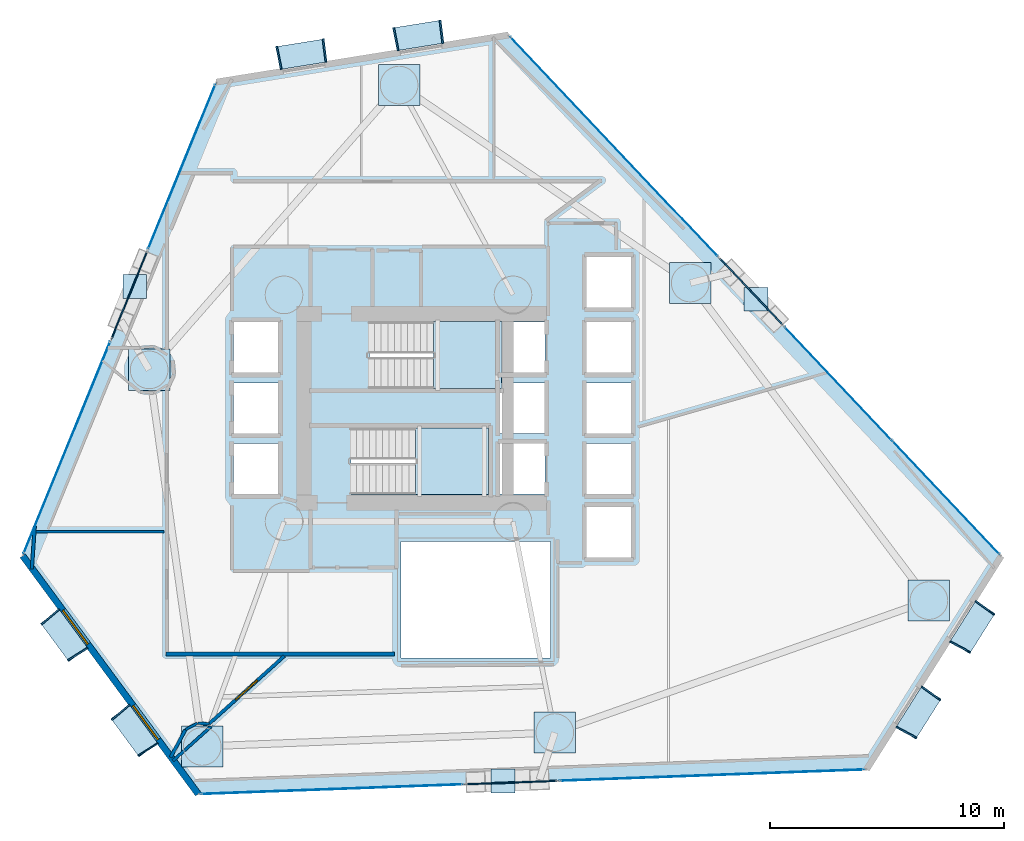
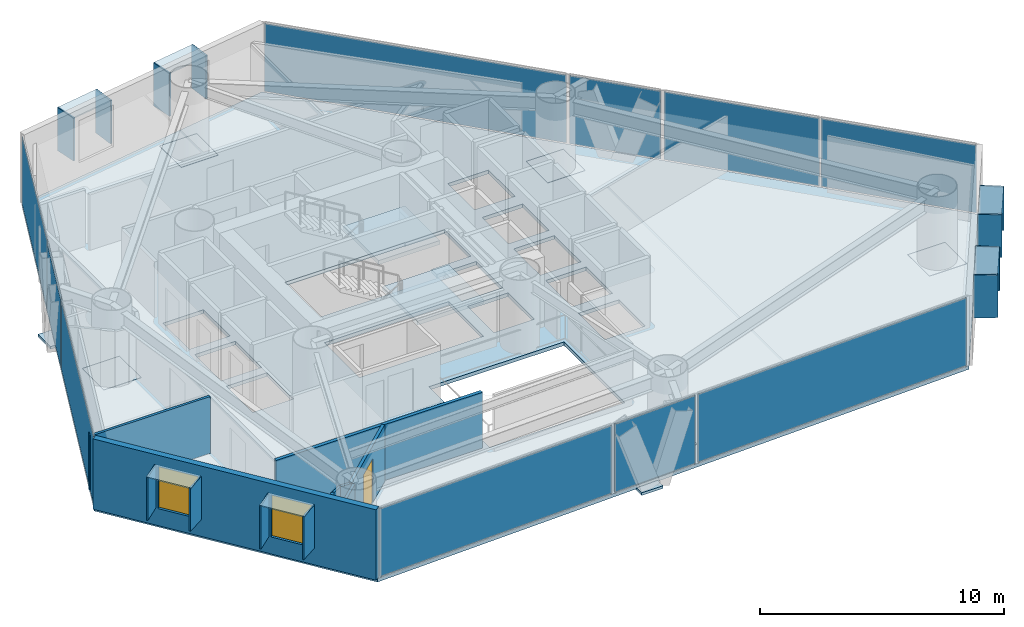
# One storey, part 16 of 23: 37 plates, 9 walls, 3 slabs, 2 windows, 1 door, 3 openings, 11 elements without a shape of their own.
"""IFC4 building model written with IfcOpenShell, lengths in metres."""

from ifc_helpers import new_model, si_unit, direction, frame, frame_2d, origin, origin_2d, place, context, subcontext, project, spatial, polyline, rectangle, outline, extrude, material, layer, layer_set, type_object, element, fill, aggregate, save


model = new_model("IFC4")

# Units and contexts
model_context = context("Model", 3, precision=1e-05, world=origin(), true_north=direction((0.0, 1.0)))
body_context = subcontext(model_context, "Body", "Model", "MODEL_VIEW")
ifc_project = project(units=[si_unit("LENGTHUNIT", "METRE"), si_unit("AREAUNIT", "SQUARE_METRE"), si_unit("VOLUMEUNIT", "CUBIC_METRE"), si_unit("PLANEANGLEUNIT", "RADIAN"), si_unit("MASSUNIT", "GRAM", prefix="KILO")], contexts=[model_context])

# Site, building, storey
site_placement = place(None, origin())
site = spatial("IfcSite", under=ifc_project, at=site_placement, CompositionType="ELEMENT")
building_placement = place(site_placement, origin())
building = spatial("IfcBuilding", under=site, at=building_placement, Name="Qianvela Tower", CompositionType="ELEMENT")
storey_placement = place(building_placement, frame((0.0, 0.0, 52.5)))
storey = spatial("IfcBuildingStorey", under=building, at=storey_placement, Name="L12", CompositionType="ELEMENT", Elevation=52.5)

# Curtain wall, plate
ifc_material_1 = material(Name="Anodised Architectural Aluminium and Insulated Spandrel Panel", Category="aluminium")
ifc_layer_1 = layer(ifc_material_1, 0.179931640625)
ifc_layer_set_1 = layer_set([ifc_layer_1], Name="Anodised Architectural Aluminium and Insulated Spandrel Panel")
curtain_wall_type_1 = type_object("IfcCurtainWallType", Name="CW-BRACEBAY", PredefinedType="USERDEFINED", material=ifc_layer_set_1)
curtain_wall_1_placement = place(storey_placement, origin())
curtain_wall_1 = element("IfcCurtainWall", 1, at=curtain_wall_1_placement, inside=storey, type_object=curtain_wall_type_1, Name="L12 CW-BRACEBAY Curtain Wall 02B", ObjectType="CURTAIN_WALL_SYSTEM", PredefinedType="USERDEFINED")
ifc_material_2 = material(Name="Insulated Aluminium Spandrel Panel with Mineral-Wool Backpan", Category="aluminium")
ifc_layer_2 = layer(ifc_material_2, 0.06005859375)
ifc_layer_set_2 = layer_set([ifc_layer_2], Name="Insulated Aluminium Spandrel Panel with Mineral-Wool Backpan")
plate_type_1 = type_object("IfcPlateType", Name="CW-BRACEBAY-PNL", PredefinedType="CURTAIN_PANEL", material=ifc_layer_set_2)
plate_1_placement = place(storey_placement, frame((48.593994140625, 33.6884765625, 0.06494140625), z_axis=(0.0, 0.0, 1.0), x_axis=(-0.687180082122, 0.726487119455, 0.0)))
plate_1 = element("IfcPlate", 2, at=plate_1_placement, type_object=plate_type_1, Name="CW-9 panel 1.1", PredefinedType="CURTAIN_PANEL", context=body_context, shape_type="SweptSolid", body=[
    extrude(rectangle(XDim=3.909912109375, YDim=0.06005859375, at=origin_2d()), origin(), (0.0, 0.0, 1.0), 3.389892578125),
])
aggregate(curtain_wall_1, [plate_1])

curtain_wall_2_placement = place(storey_placement, origin())
curtain_wall_2 = element("IfcCurtainWall", 3, at=curtain_wall_2_placement, inside=storey, type_object=curtain_wall_type_1, Name="L12 CW-BRACEBAY Curtain Wall 04B", ObjectType="CURTAIN_WALL_SYSTEM", PredefinedType="USERDEFINED")
plate_2_placement = place(storey_placement, frame((21.9765625, 33.540283203125, 0.06494140625), z_axis=(0.0, 0.0, 1.0), x_axis=(-0.378488345635, -0.92560605671, 0.0)))
plate_2 = element("IfcPlate", 4, at=plate_2_placement, type_object=plate_type_1, Name="CW-9 panel 1.1", PredefinedType="CURTAIN_PANEL", context=body_context, shape_type="SweptSolid", body=[
    extrude(rectangle(XDim=4.02001953125, YDim=0.06005859375, at=origin_2d()), origin(), (0.0, 0.0, 1.0), 3.389892578125),
])
aggregate(curtain_wall_2, [plate_2])

curtain_wall_3_placement = place(storey_placement, origin())
curtain_wall_3 = element("IfcCurtainWall", 5, at=curtain_wall_3_placement, inside=storey, type_object=curtain_wall_type_1, Name="L12 CW-BRACEBAY Curtain Wall 06B", ObjectType="CURTAIN_WALL_SYSTEM", PredefinedType="USERDEFINED")
plate_3_placement = place(storey_placement, frame((38.328369140625, 12.678466796875, 0.06494140625), z_axis=(0.0, 0.0, 1.0), x_axis=(0.99932024113, 0.036865372203, 0.0)))
plate_3 = element("IfcPlate", 6, at=plate_3_placement, type_object=plate_type_1, Name="CW-9 panel 1.1", PredefinedType="CURTAIN_PANEL", context=body_context, shape_type="SweptSolid", body=[
    extrude(rectangle(XDim=3.89013671875, YDim=0.06005859375, at=origin_2d()), origin(), (0.0, 0.0, 1.0), 3.389892578125),
])
aggregate(curtain_wall_3, [plate_3])

# Curtain wall, plates
ifc_material_3 = material(Name="Anodised Architectural Aluminium and Low-E Glass", Category="aluminium")
ifc_layer_3 = layer(ifc_material_3, 0.179931640625)
ifc_layer_set_3 = layer_set([ifc_layer_3], Name="Anodised Architectural Aluminium and Low-E Glass")
curtain_wall_type_2 = type_object("IfcCurtainWallType", Name="CW-COLIV-Z12", PredefinedType="USERDEFINED", material=ifc_layer_set_3)
curtain_wall_4_placement = place(storey_placement, origin())
curtain_wall_4 = element("IfcCurtainWall", 7, at=curtain_wall_4_placement, inside=storey, type_object=curtain_wall_type_2, Name="L12 CW-COLIV-Z12 Curtain Wall 02A", ObjectType="CURTAIN_WALL_SYSTEM", PredefinedType="USERDEFINED")
ifc_material_4 = material(Name="Double-Silver Low-E Insulated Glass", Category="glass")
ifc_layer_4 = layer(ifc_material_4, 0.030029296875)
ifc_layer_set_4 = layer_set([ifc_layer_4], Name="Double-Silver Low-E Insulated Glass")
plate_type_2 = type_object("IfcPlateType", Name="CW-COLIV-Z12-PNL", PredefinedType="CURTAIN_PANEL", material=ifc_layer_set_4)
plate_4_placement = place(storey_placement, frame((56.927490234375, 24.8779296875, 0.06494140625), z_axis=(0.0, 0.0, 1.0), x_axis=(-0.687170375022, 0.726496301224, 0.0)))
plate_4 = element("IfcPlate", 8, at=plate_4_placement, type_object=plate_type_2, Name="CW-3 panel 1.1", PredefinedType="CURTAIN_PANEL", context=body_context, shape_type="SweptSolid", body=[
    extrude(rectangle(XDim=6.64501953125, YDim=0.030029296875, at=origin_2d()), origin(), (0.0, 0.0, 1.0), 3.389892578125),
])
plate_5_placement = place(storey_placement, frame((52.313232421875, 29.75634765625, 0.06494140625), z_axis=(0.0, 0.0, 1.0), x_axis=(-0.687170375022, 0.726496301224, 0.0)))
plate_5 = element("IfcPlate", 9, at=plate_5_placement, type_object=plate_type_2, Name="CW-3 panel 2.1", PredefinedType="CURTAIN_PANEL", context=body_context, shape_type="SweptSolid", body=[
    extrude(rectangle(XDim=6.64501953125, YDim=0.030029296875, at=origin_2d()), origin(), (0.0, 0.0, 1.0), 3.389892578125),
])
aggregate(curtain_wall_4, [plate_4, plate_5])

# Curtain wall, plate
curtain_wall_5_placement = place(storey_placement, origin())
curtain_wall_5 = element("IfcCurtainWall", 10, at=curtain_wall_5_placement, inside=storey, type_object=curtain_wall_type_2, Name="L12 CW-COLIV-Z12 Curtain Wall 02C", ObjectType="CURTAIN_WALL_SYSTEM", PredefinedType="USERDEFINED")
plate_6_placement = place(storey_placement, frame((42.72509765625, 39.893310546875, 0.06494140625), z_axis=(0.0, 0.0, 1.0), x_axis=(-0.687172728773, 0.726494074876, 0.0)))
plate_6 = element("IfcPlate", 11, at=plate_6_placement, type_object=plate_type_2, Name="CW-3 panel 1.1", PredefinedType="CURTAIN_PANEL", context=body_context, shape_type="SweptSolid", body=[
    extrude(rectangle(XDim=12.9013671875, YDim=0.030029296875, at=origin_2d()), origin(), (0.0, 0.0, 1.0), 3.389892578125),
])
aggregate(curtain_wall_5, [plate_6])

curtain_wall_6_placement = place(storey_placement, origin())
curtain_wall_6 = element("IfcCurtainWall", 12, at=curtain_wall_6_placement, inside=storey, type_object=curtain_wall_type_2, Name="L12 CW-COLIV-Z12 Curtain Wall 04A", ObjectType="CURTAIN_WALL_SYSTEM", PredefinedType="USERDEFINED")
plate_7_placement = place(storey_placement, frame((24.222900390625, 39.033935546875, 0.06494140625), z_axis=(0.0, 0.0, 1.0), x_axis=(-0.378495146907, -0.925603275582, 0.0)))
plate_7 = element("IfcPlate", 13, at=plate_7_placement, type_object=plate_type_2, Name="CW-3 panel 1.1", PredefinedType="CURTAIN_PANEL", context=body_context, shape_type="SweptSolid", body=[
    extrude(rectangle(XDim=7.580078125, YDim=0.030029296875, at=origin_2d()), origin(), (0.0, 0.0, 1.0), 3.389892578125),
])
aggregate(curtain_wall_6, [plate_7])

curtain_wall_7_placement = place(storey_placement, origin())
curtain_wall_7 = element("IfcCurtainWall", 14, at=curtain_wall_7_placement, inside=storey, type_object=curtain_wall_type_2, Name="L12 CW-COLIV-Z12 Curtain Wall 04C", ObjectType="CURTAIN_WALL_SYSTEM", PredefinedType="USERDEFINED")
plate_8_placement = place(storey_placement, frame((19.312255859375, 27.025146484375, 0.06494140625), z_axis=(0.0, 0.0, 1.0), x_axis=(-0.378494785701, -0.925603423285, 0.0)))
plate_8 = element("IfcPlate", 15, at=plate_8_placement, type_object=plate_type_2, Name="CW-3 panel 1.1", PredefinedType="CURTAIN_PANEL", context=body_context, shape_type="SweptSolid", body=[
    extrude(rectangle(XDim=9.7880859375, YDim=0.030029296875, at=origin_2d()), origin(), (0.0, 0.0, 1.0), 3.389892578125),
])
aggregate(curtain_wall_7, [plate_8])

curtain_wall_8_placement = place(storey_placement, origin())
curtain_wall_8 = element("IfcCurtainWall", 16, at=curtain_wall_8_placement, inside=storey, type_object=curtain_wall_type_2, Name="L12 CW-COLIV-Z12 Curtain Wall 06A", ObjectType="CURTAIN_WALL_SYSTEM", PredefinedType="USERDEFINED")
plate_9_placement = place(storey_placement, frame((30.6484375, 12.395263671875, 0.06494140625), z_axis=(0.0, 0.0, 1.0), x_axis=(0.999319977698, 0.036872512444, 0.0)))
plate_9 = element("IfcPlate", 17, at=plate_9_placement, type_object=plate_type_2, Name="CW-3 panel 1.1", PredefinedType="CURTAIN_PANEL", context=body_context, shape_type="SweptSolid", body=[
    extrude(rectangle(XDim=11.2099609375, YDim=0.030029296875, at=origin_2d()), origin(), (0.0, 0.0, 1.0), 3.389892578125),
])
aggregate(curtain_wall_8, [plate_9])

curtain_wall_9_placement = place(storey_placement, origin())
curtain_wall_9 = element("IfcCurtainWall", 18, at=curtain_wall_9_placement, inside=storey, type_object=curtain_wall_type_2, Name="L12 CW-COLIV-Z12 Curtain Wall 06C", ObjectType="CURTAIN_WALL_SYSTEM", PredefinedType="USERDEFINED")
plate_10_placement = place(storey_placement, frame((46.90576171875, 12.9951171875, 0.06494140625), z_axis=(0.0, 0.0, 1.0), x_axis=(0.999319846906, 0.036876057012, 0.0)))
plate_10 = element("IfcPlate", 19, at=plate_10_placement, type_object=plate_type_2, Name="CW-3 panel 1.1", PredefinedType="CURTAIN_PANEL", context=body_context, shape_type="SweptSolid", body=[
    extrude(rectangle(XDim=13.0068359375, YDim=0.030029296875, at=origin_2d()), origin(), (0.0, 0.0, 1.0), 3.389892578125),
])
aggregate(curtain_wall_9, [plate_10])

# Plates
ifc_material_5 = material(Name="Steel Q420GJC", Category="steel")
ifc_layer_5 = layer(ifc_material_5, 0.1298828125)
ifc_layer_set_5 = layer_set([ifc_layer_5], Name="Steel Q420GJC")
plate_type_3 = type_object("IfcPlateType", Name="PT-ENDCAP-130", PredefinedType="USERDEFINED", material=ifc_layer_set_5)
for number, where, z_axis, x_axis, name in (
    (20, (48.793212890625, 33.361328125, -0.26171875), (0.0, 0.0, 1.0), (1.0, 0.0, 0.0), "L12 Hollow Section End Cap Plate A"),
    (21, (22.2119140625, 33.90478515625, -0.26171875), (0.0, 0.0, 1.0), (1.0, 0.0, 0.0), "L12 Hollow Section End Cap Plate A"),
    (22, (37.966552734375, 12.7451171875, -0.26171875), (0.0, 0.0, 1.0), (1.0, 0.0, 0.0), "L12 Hollow Section End Cap Plate A"),
):
    element("IfcPlate", number, at=place(storey_placement, frame(where, z_axis=z_axis, x_axis=x_axis)), inside=storey, type_object=plate_type_3, Name=name, ObjectType="END_CAP", PredefinedType="USERDEFINED", context=body_context, shape_type="SweptSolid", body=[
        extrude(rectangle(XDim=1.02001953125, YDim=1.02001953125, at=origin_2d()), origin(), (0.0, 0.0, 1.0), 0.1298828125),
    ])
ifc_material_6 = material(Name="Steel Q420GJC", Category="steel")
ifc_layer_6 = layer(ifc_material_6, 0.139892578125)
ifc_layer_set_6 = layer_set([ifc_layer_6], Name="Steel Q420GJC")
plate_type_4 = type_object("IfcPlateType", Name="PT-GUSSET-NODE-140", PredefinedType="USERDEFINED", material=ifc_layer_set_6)
for number, where, z_axis, x_axis, name in (
    (23, (56.198974609375, 20.468017578125, -0.134765625), (0.0, 0.0, 1.0), (1.0, 0.0, 0.0), "L12 Node Gusset Plate BOT"),
    (24, (45.98388671875, 34.056884765625, -0.134765625), (0.0, 0.0, 1.0), (1.0, 0.0, 0.0), "L12 Node Gusset Plate BOT"),
    (25, (33.52587890625, 42.529052734375, -0.134765625), (0.0, 0.0, 1.0), (1.0, 0.0, 0.0), "L12 Node Gusset Plate BOT"),
    (26, (22.8291015625, 30.340087890625, -0.134765625), (0.0, 0.0, 1.0), (1.0, 0.0, 0.0), "L12 Node Gusset Plate BOT"),
    (27, (25.10009765625, 14.22509765625, -0.134765625), (0.0, 0.0, 1.0), (1.0, 0.0, 0.0), "L12 Node Gusset Plate BOT"),
    (28, (40.18896484375, 14.819091796875, -0.134765625), (0.0, 0.0, 1.0), (1.0, 0.0, 0.0), "L12 Node Gusset Plate BOT"),
):
    element("IfcPlate", number, at=place(storey_placement, frame(where, z_axis=z_axis, x_axis=x_axis)), inside=storey, type_object=plate_type_4, Name=name, ObjectType="GUSSET_PLATE", PredefinedType="USERDEFINED", context=body_context, shape_type="SweptSolid", body=[
        extrude(rectangle(XDim=1.77001953125, YDim=1.77001953125, at=origin_2d()), origin(), (0.0, 0.0, 1.0), 0.139892578125),
    ])

# Slab
ifc_material_7 = material(Name="Concrete C40", Category="concrete")
ifc_layer_7 = layer(ifc_material_7, 0.179931640625)
ifc_layer_set_7 = layer_set([ifc_layer_7], Name="Concrete C40")
slab_type_1 = type_object("IfcSlabType", Name="SL-FLOOR-180", PredefinedType="FLOOR", material=ifc_layer_set_7)
slab_1_placement = place(storey_placement, frame((0.0, 0.0, -0.179931640625)))
element("IfcSlab", 29, at=slab_1_placement, inside=storey, type_object=slab_type_1, Name="L12 Composite Structural Floor Slab", PredefinedType="FLOOR", context=body_context, shape_type="SweptSolid", body=[
    extrude(outline(polyline([(53.524658203125, 13.2392578125), (59.293212890625, 22.376953125), (38.209716796875, 44.666748046875), (25.70263671875, 42.653076171875), (17.41455078125, 22.384033203125), (24.927490234375, 12.18408203125), (53.524658203125, 13.2392578125)]), holes=[polyline([(40.0, 23.0), (33.60009765625, 23.0), (33.60009765625, 18.0), (40.0, 18.0), (40.0, 23.0)]), polyline([(28.360107421875, 25.02001953125), (28.360107421875, 27.179931640625), (26.43994140625, 27.179931640625), (26.43994140625, 25.02001953125), (28.360107421875, 25.02001953125)]), polyline([(37.35009765625, 25.0), (37.35009765625, 27.860107421875), (31.469970703125, 27.860107421875), (31.469970703125, 25.0), (37.35009765625, 25.0)]), polyline([(28.360107421875, 27.6201171875), (28.360107421875, 29.780029296875), (26.43994140625, 29.780029296875), (26.43994140625, 27.6201171875), (28.360107421875, 27.6201171875)]), polyline([(37.89990234375, 32.3798828125), (37.89990234375, 32.39990234375), (32.25, 32.39990234375), (32.25, 29.5400390625), (37.840087890625, 29.5400390625), (37.840087890625, 27.6201171875), (39.760009765625, 27.6201171875), (39.760009765625, 29.780029296875), (37.89990234375, 29.780029296875), (37.89990234375, 30.219970703125), (39.760009765625, 30.219970703125), (39.760009765625, 32.3798828125), (37.89990234375, 32.3798828125)]), polyline([(28.360107421875, 30.219970703125), (28.360107421875, 32.3798828125), (26.43994140625, 32.3798828125), (26.43994140625, 30.219970703125), (28.360107421875, 30.219970703125)]), polyline([(43.4599609375, 24.47998046875), (41.5400390625, 24.47998046875), (41.5400390625, 22.320068359375), (43.4599609375, 22.320068359375), (43.4599609375, 24.47998046875)]), polyline([(39.760009765625, 25.02001953125), (39.760009765625, 27.179931640625), (37.840087890625, 27.179931640625), (37.840087890625, 25.02001953125), (39.760009765625, 25.02001953125)]), polyline([(43.4599609375, 25.02001953125), (43.4599609375, 27.179931640625), (41.5400390625, 27.179931640625), (41.5400390625, 25.02001953125), (43.4599609375, 25.02001953125)]), polyline([(43.4599609375, 27.6201171875), (43.4599609375, 29.780029296875), (41.5400390625, 29.780029296875), (41.5400390625, 27.6201171875), (43.4599609375, 27.6201171875)]), polyline([(43.4599609375, 30.219970703125), (43.4599609375, 32.3798828125), (41.5400390625, 32.3798828125), (41.5400390625, 30.219970703125), (43.4599609375, 30.219970703125)]), polyline([(43.4599609375, 33.02001953125), (43.4599609375, 35.179931640625), (41.5400390625, 35.179931640625), (41.5400390625, 33.02001953125), (43.4599609375, 33.02001953125)])]), origin(), (0.0, 0.0, 1.0), 0.179931640625),
])

# Stair, slab
ifc_material_8 = material(Name="Concrete C40", Category="concrete")
stair_type = type_object("IfcStairType", Name="ST-DOGLEG-1350-R168-N22", PredefinedType="HALF_TURN_STAIR", material=ifc_material_8)
stair_1_placement = place(storey_placement, origin())
stair_1 = element("IfcStair", 30, at=stair_1_placement, inside=storey, type_object=stair_type, Name="L12 Smoke-Proof Core Stair ST-1", PredefinedType="HALF_TURN_STAIR")
ifc_material_9 = material(Name="Concrete C40", Category="concrete")
ifc_layer_8 = layer(ifc_material_9, 0.199951171875)
ifc_layer_set_8 = layer_set([ifc_layer_8], Name="Concrete C40")
slab_type_2 = type_object("IfcSlabType", Name="SL-STAIR-LANDING-200", PredefinedType="LANDING", material=ifc_layer_set_8)
slab_2_placement = place(storey_placement, frame((0.0, 0.0, 1.64990234375)))
slab_2 = element("IfcSlab", 31, at=slab_2_placement, type_object=slab_type_2, Name="ST-1 landing 1", PredefinedType="LANDING", context=body_context, shape_type="SweptSolid", body=[
    extrude(outline(polyline([(35.0, 29.5400390625), (37.89990234375, 29.5400390625), (37.89990234375, 32.39990234375), (35.0, 32.39990234375), (35.0, 29.5400390625)])), origin(), (0.0, 0.0, 1.0), 0.2001953125),
])
aggregate(stair_1, [slab_2])

stair_2_placement = place(storey_placement, origin())
stair_2 = element("IfcStair", 32, at=stair_2_placement, inside=storey, type_object=stair_type, Name="L12 Smoke-Proof Core Stair ST-2", PredefinedType="HALF_TURN_STAIR")
slab_3_placement = place(storey_placement, frame((0.0, 0.0, 1.64990234375)))
slab_3 = element("IfcSlab", 33, at=slab_3_placement, type_object=slab_type_2, Name="ST-2 landing 1", PredefinedType="LANDING", context=body_context, shape_type="SweptSolid", body=[
    extrude(outline(polyline([(34.219970703125, 25.0), (37.35009765625, 25.0), (37.35009765625, 27.860107421875), (34.219970703125, 27.860107421875), (34.219970703125, 25.0)])), origin(), (0.0, 0.0, 1.0), 0.2001953125),
])
aggregate(stair_2, [slab_3])

# Plates
ifc_material_10 = material(Name="Vitrified Architectural Terracotta Panel", Category="masonry")
ifc_layer_9 = layer(ifc_material_10, 0.06005859375)
ifc_layer_set_9 = layer_set([ifc_layer_9], Name="Vitrified Architectural Terracotta Panel")
plate_type_5 = type_object("IfcPlateType", Name="TERRACOTTA-SUNSHADE-HOOD-FOLD-A", PredefinedType="USERDEFINED", material=ifc_layer_set_9)
for number, where, z_axis, x_axis, name in (
    (34, (55.75830078125, 15.662841796875, 2.9599609375), (0.0, 0.0, 1.0), (0.53381229517, 0.84560299995, 0.0), "L12 Terracotta Sunshade Hood FOLD-A"),
    (35, (58.06591796875, 19.318115234375, 2.9599609375), (0.0, 0.0, 1.0), (0.53381229517, 0.84560299995, 0.0), "L12 Terracotta Sunshade Hood FOLD-A"),
    (36, (19.189208984375, 18.97119140625, 2.9599609375), (0.0, 0.0, 1.0), (0.593050765746, -0.805165069566, 0.0), "L12 Terracotta Sunshade Hood FOLD-A"),
    (37, (22.194580078125, 14.89111328125, 2.9599609375), (0.0, 0.0, 1.0), (0.593050765746, -0.805165069566, 0.0), "L12 Terracotta Sunshade Hood FOLD-A"),
):
    element("IfcPlate", number, at=place(storey_placement, frame(where, z_axis=z_axis, x_axis=x_axis)), inside=storey, type_object=plate_type_5, Name=name, ObjectType="SUNSHADE", PredefinedType="USERDEFINED", context=body_context, shape_type="SweptSolid", body=[
        extrude(rectangle(XDim=2.0400390625, YDim=0.989990234375, at=origin_2d()), origin(), (0.0, 0.0, 1.0), 0.06005859375),
    ])
ifc_material_11 = material(Name="Vitrified Architectural Terracotta Panel", Category="masonry")
ifc_layer_10 = layer(ifc_material_11, 0.070068359375)
ifc_layer_set_10 = layer_set([ifc_layer_10], Name="Vitrified Architectural Terracotta Panel")
plate_type_6 = type_object("IfcPlateType", Name="TERRACOTTA-SUNSHADE-HOOD-FOLD-C", PredefinedType="USERDEFINED", material=ifc_layer_set_10)
for number, where, z_axis, x_axis, name in (
    (38, (34.363037109375, 44.64990234375, 2.9599609375), (0.0, 0.0, 1.0), (-0.987285401391, -0.158957655366, 0.0), "L12 Terracotta Sunshade Hood FOLD-C"),
    (39, (29.3603515625, 43.844482421875, 2.9599609375), (0.0, 0.0, 1.0), (-0.987285401391, -0.158957655366, 0.0), "L12 Terracotta Sunshade Hood FOLD-C"),
):
    element("IfcPlate", number, at=place(storey_placement, frame(where, z_axis=z_axis, x_axis=x_axis)), inside=storey, type_object=plate_type_6, Name=name, ObjectType="SUNSHADE", PredefinedType="USERDEFINED", context=body_context, shape_type="SweptSolid", body=[
        extrude(rectangle(XDim=2.0400390625, YDim=0.989990234375, at=origin_2d()), origin(), (0.0, 0.0, 1.0), 0.06005859375),
    ])
ifc_material_12 = material(Name="Vitrified Architectural Terracotta Side Fin Panel", Category="masonry")
ifc_layer_11 = layer(ifc_material_12, 0.06494140625)
ifc_layer_set_11 = layer_set([ifc_layer_11], Name="Vitrified Architectural Terracotta Side Fin Panel")
plate_type_7 = type_object("IfcPlateType", Name="TERRACOTTA-SUNSHADE-STRUT-FOLD-A", PredefinedType="USERDEFINED", material=ifc_layer_set_11)
for number, where, z_axis, x_axis, name in (
    (40, (55.22998046875, 14.82568359375, 0.85009765625), (0.0, 0.0, 1.0), (0.473525671784, 0.880780016895, 0.0), "L12 Terracotta Sunshade Side Fin HL FOLD-A"),
    (41, (56.286865234375, 16.5, 0.85009765625), (0.0, 0.0, 1.0), (0.591498238712, 0.80630629019, 0.0), "L12 Terracotta Sunshade Side Fin HR FOLD-A"),
    (42, (57.537353515625, 18.48095703125, 0.85009765625), (0.0, 0.0, 1.0), (0.473525671784, 0.880780016895, 0.0), "L12 Terracotta Sunshade Side Fin HL FOLD-A"),
    (43, (58.59423828125, 20.1552734375, 0.85009765625), (0.0, 0.0, 1.0), (0.591498238712, 0.80630629019, 0.0), "L12 Terracotta Sunshade Side Fin HR FOLD-A"),
    (44, (18.602294921875, 19.768310546875, 0.85009765625), (0.0, 0.0, 1.0), (0.647771599922, -0.761834597754, 0.0), "L12 Terracotta Sunshade Side Fin HL FOLD-A"),
    (45, (19.7763671875, 18.174072265625, 0.85009765625), (0.0, 0.0, 1.0), (0.535440647852, -0.844572858093, 0.0), "L12 Terracotta Sunshade Side Fin HR FOLD-A"),
    (46, (21.607421875, 15.688232421875, 0.85009765625), (0.0, 0.0, 1.0), (0.647771599922, -0.761834597754, 0.0), "L12 Terracotta Sunshade Side Fin HL FOLD-A"),
    (47, (22.781494140625, 14.093994140625, 0.85009765625), (0.0, 0.0, 1.0), (0.535440647852, -0.844572858093, 0.0), "L12 Terracotta Sunshade Side Fin HR FOLD-A"),
):
    element("IfcPlate", number, at=place(storey_placement, frame(where, z_axis=z_axis, x_axis=x_axis)), inside=storey, type_object=plate_type_7, Name=name, ObjectType="SUNSHADE", PredefinedType="USERDEFINED", context=body_context, shape_type="SweptSolid", body=[
        extrude(rectangle(XDim=0.06494140625, YDim=1.010009765625, at=origin_2d()), origin(), (0.0, 0.0, 1.0), 2.159912109375),
    ])
ifc_material_13 = material(Name="Vitrified Architectural Terracotta Side Fin Panel", Category="masonry")
ifc_layer_12 = layer(ifc_material_13, 0.074951171875)
ifc_layer_set_12 = layer_set([ifc_layer_12], Name="Vitrified Architectural Terracotta Side Fin Panel")
plate_type_8 = type_object("IfcPlateType", Name="TERRACOTTA-SUNSHADE-STRUT-FOLD-C", PredefinedType="USERDEFINED", material=ifc_layer_set_12)
for number, where, z_axis, x_axis, name in (
    (48, (35.340576171875, 44.807373046875, 0.85009765625), (0.0, 0.0, 1.0), (-0.99223151597, -0.124405059047, 0.0), "L12 Terracotta Sunshade Side Fin HL FOLD-C"),
    (49, (33.3857421875, 44.49267578125, 0.85009765625), (0.0, 0.0, 1.0), (-0.981136431631, -0.193316586267, 0.0), "L12 Terracotta Sunshade Side Fin HR FOLD-C"),
    (50, (30.337646484375, 44.001953125, 0.85009765625), (0.0, 0.0, 1.0), (-0.99223151597, -0.124405059047, 0.0), "L12 Terracotta Sunshade Side Fin HL FOLD-C"),
    (51, (28.3828125, 43.687255859375, 0.85009765625), (0.0, 0.0, 1.0), (-0.981136431631, -0.193316586267, 0.0), "L12 Terracotta Sunshade Side Fin HR FOLD-C"),
):
    element("IfcPlate", number, at=place(storey_placement, frame(where, z_axis=z_axis, x_axis=x_axis)), inside=storey, type_object=plate_type_8, Name=name, ObjectType="SUNSHADE", PredefinedType="USERDEFINED", context=body_context, shape_type="SweptSolid", body=[
        extrude(rectangle(XDim=0.074951171875, YDim=1.010009765625, at=origin_2d()), origin(), (0.0, 0.0, 1.0), 2.159912109375),
    ])

# Wall, openings, windows
ifc_material_14 = material(Name="Terracotta Cladding on Concrete C40", Category="masonry")
ifc_layer_13 = layer(ifc_material_14, 0.280029296875)
ifc_layer_set_13 = layer_set([ifc_layer_13], Name="Terracotta Cladding on Concrete C40")
wall_type_1 = type_object("IfcWallType", Name="TERRACOTTA-WALL-280", PredefinedType="SOLIDWALL", material=ifc_layer_set_13)
wall_1_placement = place(storey_placement, frame((17.41455078125, 22.384033203125, 0.0), z_axis=(0.0, 0.0, 1.0), x_axis=(0.593055059992, -0.805161906587, 0.0)))
wall_1 = element("IfcWall", 52, at=wall_1_placement, inside=storey, type_object=wall_type_1, Name="L12 Terracotta Chamfer Facet Wall 5", PredefinedType="SOLIDWALL", context=body_context, shape_type="SweptSolid", body=[
    extrude(rectangle(XDim=12.668212890625, YDim=0.280029296875, at=frame_2d((6.333984375, 0.0))), origin(), (0.0, 0.0, 1.0), 3.52001953125),
])
opening_1_placement = place(wall_1_placement, frame((2.900390625, 0.0, 0.85009765625)))
opening_1 = element("IfcOpeningElement", 53, at=opening_1_placement, cuts=wall_1, Name="Opening W-01", PredefinedType="OPENING", context=body_context, shape_type="SweptSolid", body=[
    extrude(rectangle(XDim=1.800048828125, YDim=2.10009765625, at=frame_2d((0.89990234375, 1.050048828125))), frame((0.0, 0.14990234375, 0.0), z_axis=(0.0, -1.0, 0.0), x_axis=(1.0, 0.0, 0.0)), (0.0, 0.0, 1.0), 0.300048828125),
])
opening_2_placement = place(wall_1_placement, frame((7.9677734375, 0.0, 0.85009765625)))
opening_2 = element("IfcOpeningElement", 54, at=opening_2_placement, cuts=wall_1, Name="Opening W-01", PredefinedType="OPENING", context=body_context, shape_type="SweptSolid", body=[
    extrude(rectangle(XDim=1.800048828125, YDim=2.10009765625, at=frame_2d((0.89990234375, 1.050048828125))), frame((0.0, 0.14990234375, 0.0), z_axis=(0.0, -1.0, 0.0), x_axis=(1.0, 0.0, 0.0)), (0.0, 0.0, 1.0), 0.300048828125),
])
ifc_material_15 = material(Name="Thermally Broken Aluminium and Low-E Glass", Category="aluminium")
window_type = type_object("IfcWindowType", Name="WIN-TC-1800x2100", PartitioningType="DOUBLE_PANEL_VERTICAL", PredefinedType="WINDOW", material=ifc_material_15)
window_1_placement = place(opening_1_placement, origin())
window_1 = element("IfcWindow", 55, at=window_1_placement, inside=storey, type_object=window_type, Name="L12 Chamfer Facet Window 5.1", OverallHeight=2.10009765625, OverallWidth=1.800048828125, PartitioningType="SINGLE_PANEL", PredefinedType="WINDOW", context=body_context, shape_type="SweptSolid", body=[
    extrude(rectangle(XDim=1.800048828125, YDim=2.10009765625, at=frame_2d((0.89990234375, 1.050048828125))), frame((0.0, 0.030029296875, 0.0), z_axis=(0.0, -1.0, 0.0), x_axis=(1.0, 0.0, 0.0)), (0.0, 0.0, 1.0), 0.06005859375),
])
fill(opening_1, window_1)
window_2_placement = place(opening_2_placement, origin())
window_2 = element("IfcWindow", 56, at=window_2_placement, inside=storey, type_object=window_type, Name="L12 Chamfer Facet Window 5.2", OverallHeight=2.10009765625, OverallWidth=1.800048828125, PartitioningType="SINGLE_PANEL", PredefinedType="WINDOW", context=body_context, shape_type="SweptSolid", body=[
    extrude(rectangle(XDim=1.800048828125, YDim=2.10009765625, at=frame_2d((0.89990234375, 1.050048828125))), frame((0.0, 0.030029296875, 0.0), z_axis=(0.0, -1.0, 0.0), x_axis=(1.0, 0.0, 0.0)), (0.0, 0.0, 1.0), 0.06005859375),
])
fill(opening_2, window_2)

# Walls
ifc_material_16 = material(Name="Fire-Rated Gypsum and Concrete Block", Category="concrete")
ifc_layer_14 = layer(ifc_material_16, 0.159912109375)
ifc_layer_set_14 = layer_set([ifc_layer_14], Name="Fire-Rated Gypsum and Concrete Block")
wall_type_2 = type_object("IfcWallType", Name="WT-CORR-160", PredefinedType="PARTITIONING", material=ifc_layer_set_14)
wall_2_placement = place(storey_placement, frame((33.320068359375, 18.180908203125, 0.0), z_axis=(0.0, 0.0, 1.0), x_axis=(-1.0, 0.0, 0.0)))
element("IfcWall", 57, at=wall_2_placement, inside=storey, type_object=wall_type_2, Name="L12 Partition 46", PredefinedType="PARTITIONING", context=body_context, shape_type="SweptSolid", body=[
    extrude(rectangle(XDim=9.77001953125, YDim=0.159912109375, at=frame_2d((4.885009765625, 0.0))), origin(), (0.0, 0.0, 1.0), 2.798095703125),
])
ifc_material_17 = material(Name="Lightweight Gypsum Room Partition")
ifc_layer_15 = layer(ifc_material_17, 0.10498046875)
ifc_layer_set_15 = layer_set([ifc_layer_15], Name="Lightweight Gypsum Room Partition")
wall_type_3 = type_object("IfcWallType", Name="WT-PART-105", PredefinedType="PARTITIONING", material=ifc_layer_set_15)
wall_3_placement = place(storey_placement, frame((24.893310546875, 15.218505859375, 0.0), z_axis=(0.0, 0.0, 1.0), x_axis=(-0.881797026047, -0.4716290967, 0.0)))
element("IfcWall", 58, at=wall_3_placement, inside=storey, type_object=wall_type_3, Name="L12 Partition 52", PredefinedType="PARTITIONING", context=body_context, shape_type="SweptSolid", body=[
    extrude(rectangle(XDim=0.572021484375, YDim=0.10498046875, at=frame_2d((0.2861328125, 0.0))), origin(), (0.0, 0.0, 1.0), 2.798095703125),
])
ifc_material_18 = material(Name="Insulated Gypsum Stud Partition")
ifc_layer_16 = layer(ifc_material_18, 0.1201171875)
ifc_layer_set_16 = layer_set([ifc_layer_16], Name="Insulated Gypsum Stud Partition")
wall_type_4 = type_object("IfcWallType", Name="WT-PART-120", PredefinedType="PARTITIONING", material=ifc_layer_set_16)
wall_4_placement = place(storey_placement, frame((25.3994140625, 15.190185546875, 0.0), z_axis=(0.0, 0.0, 1.0), x_axis=(-0.99790462735, 0.064702045664, 0.0)))
element("IfcWall", 59, at=wall_4_placement, inside=storey, type_object=wall_type_4, Name="L12 Partition 51", PredefinedType="PARTITIONING", context=body_context, shape_type="SweptSolid", body=[
    extrude(rectangle(XDim=0.490478515625, YDim=0.1201171875, at=frame_2d((0.2451171875, 0.0))), origin(), (0.0, 0.0, 1.0), 2.798095703125),
])
wall_5_placement = place(storey_placement, frame((17.81640625, 23.416015625, 0.0), z_axis=(0.0, 0.0, 1.0), x_axis=(1.0, 0.0, 0.0)))
element("IfcWall", 60, at=wall_5_placement, inside=storey, type_object=wall_type_4, Name="L12 Partition 57", PredefinedType="PARTITIONING", context=body_context, shape_type="SweptSolid", body=[
    extrude(rectangle(XDim=5.65673828125, YDim=0.1201171875, at=frame_2d((2.828369140625, 0.0))), origin(), (0.0, 0.0, 1.0), 2.840087890625),
])
wall_6_placement = place(storey_placement, frame((23.850830078125, 13.612060546875, 0.0), z_axis=(0.0, 0.0, 1.0), x_axis=(0.74313295916, 0.669143785004, 0.0)))
element("IfcWall", 61, at=wall_6_placement, inside=storey, type_object=wall_type_4, Name="L12 Partition 60 seg 1", PredefinedType="PARTITIONING", context=body_context, shape_type="SweptSolid", body=[
    extrude(rectangle(XDim=2.184326171875, YDim=0.1201171875, at=frame_2d((1.09228515625, 0.0))), origin(), (0.0, 0.0, 1.0), 2.798095703125),
])

# Wall, opening, door
ifc_material_19 = material(Name="Acoustic Double Gypsum Stud Partition")
ifc_layer_17 = layer(ifc_material_19, 0.139892578125)
ifc_layer_set_17 = layer_set([ifc_layer_17], Name="Acoustic Double Gypsum Stud Partition")
wall_type_5 = type_object("IfcWallType", Name="WT-ROOM-140", PredefinedType="PARTITIONING", material=ifc_layer_set_17)
wall_7_placement = place(storey_placement, frame((28.609375, 18.093017578125, 0.0), z_axis=(0.0, 0.0, 1.0), x_axis=(-0.743149021346, -0.669125946345, 0.0)))
wall_7 = element("IfcWall", 62, at=wall_7_placement, inside=storey, type_object=wall_type_5, Name="L12 Partition 50", PredefinedType="PARTITIONING", context=body_context, shape_type="SweptSolid", body=[
    extrude(rectangle(XDim=4.350341796875, YDim=0.139892578125, at=frame_2d((2.17529296875, 0.0))), origin(), (0.0, 0.0, 1.0), 2.840087890625),
])
opening_3_placement = place(wall_7_placement, frame((1.550048828125, 0.0, 0.0)))
opening_3 = element("IfcOpeningElement", 63, at=opening_3_placement, cuts=wall_7, Name="Opening D-LG1", PredefinedType="OPENING", context=body_context, shape_type="SweptSolid", body=[
    extrude(rectangle(XDim=1.25, YDim=2.199951171875, at=frame_2d((0.625, 1.10009765625))), frame((0.0, 0.079833984375, 0.0), z_axis=(0.0, -1.0, 0.0), x_axis=(1.0, 0.0, 0.0)), (0.0, 0.0, 1.0), 0.159912109375),
])
ifc_material_20 = material(Name="Anodised Aluminium Acoustic Glass Door", Category="aluminium")
door_type = type_object("IfcDoorType", Name="DT-LOUNGE-1250", OperationType="NOTDEFINED", PredefinedType="DOOR", material=ifc_material_20)
door_placement = place(opening_3_placement, origin())
door = element("IfcDoor", 64, at=door_placement, inside=storey, type_object=door_type, Name="L12 Door Student Reading Library L12-02 to Maker Craft Workshop L12-01", OperationType="SINGLE_SWING_LEFT", OverallHeight=2.199951171875, OverallWidth=1.25, PredefinedType="DOOR", context=body_context, shape_type="SweptSolid", body=[
    extrude(rectangle(XDim=1.25, YDim=2.199951171875, at=frame_2d((0.625, 1.10009765625))), frame((0.0, 0.02490234375, 0.0), z_axis=(0.0, -1.0, 0.0), x_axis=(1.0, 0.0, 0.0)), (0.0, 0.0, 1.0), 0.050048828125),
])
fill(opening_3, door)

# Walls
wall_8_placement = place(storey_placement, frame((24.376220703125, 14.93603515625, 0.0), z_axis=(0.0, 0.0, 1.0), x_axis=(-0.471526712387, -0.881851778649, 0.0)))
element("IfcWall", 65, at=wall_8_placement, inside=storey, type_object=wall_type_5, Name="L12 Partition 53", PredefinedType="PARTITIONING", context=body_context, shape_type="SweptSolid", body=[
    extrude(rectangle(XDim=1.33642578125, YDim=0.139892578125, at=frame_2d((0.668212890625, 0.0))), origin(), (0.0, 0.0, 1.0), 2.840087890625),
])
wall_9_placement = place(storey_placement, frame((17.80712890625, 21.822265625, 0.0), z_axis=(0.0, 0.0, 1.0), x_axis=(0.068902522624, 0.997623397067, 0.0)))
element("IfcWall", 66, at=wall_9_placement, inside=storey, type_object=wall_type_5, Name="L12 Partition 56", PredefinedType="PARTITIONING", context=body_context, shape_type="SweptSolid", body=[
    extrude(rectangle(XDim=1.83544921875, YDim=0.139892578125, at=frame_2d((0.917724609375, 0.0))), origin(), (0.0, 0.0, 1.0), 2.840087890625),
])

save(model, "model.ifc")
